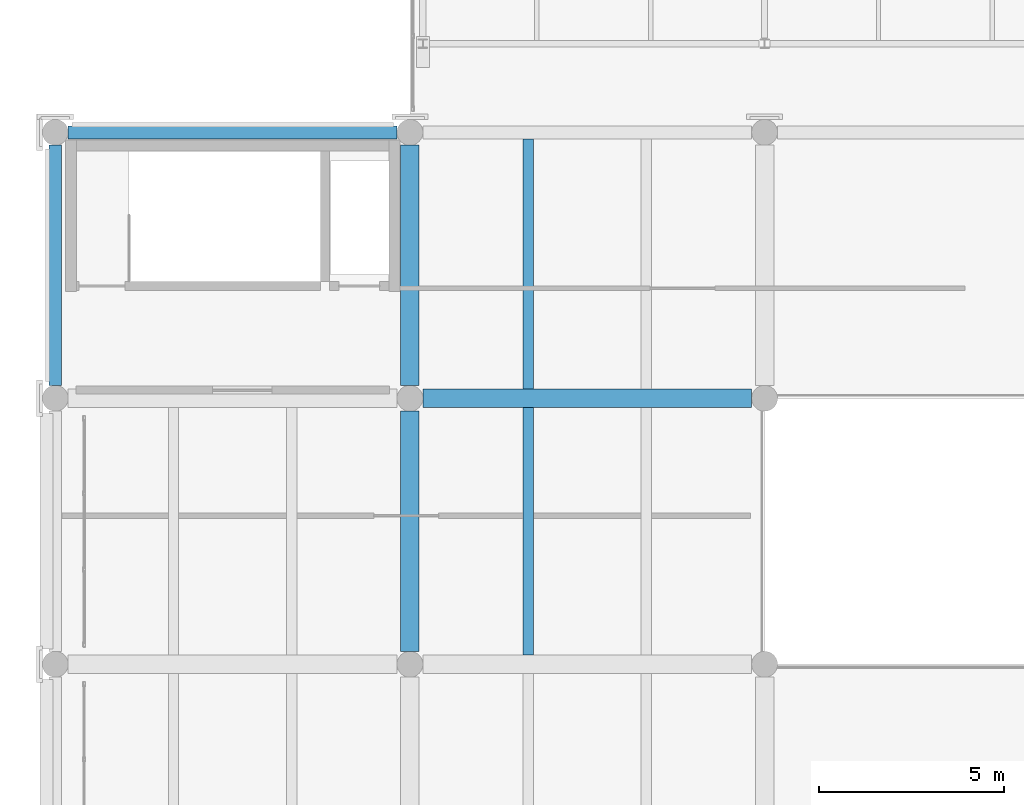
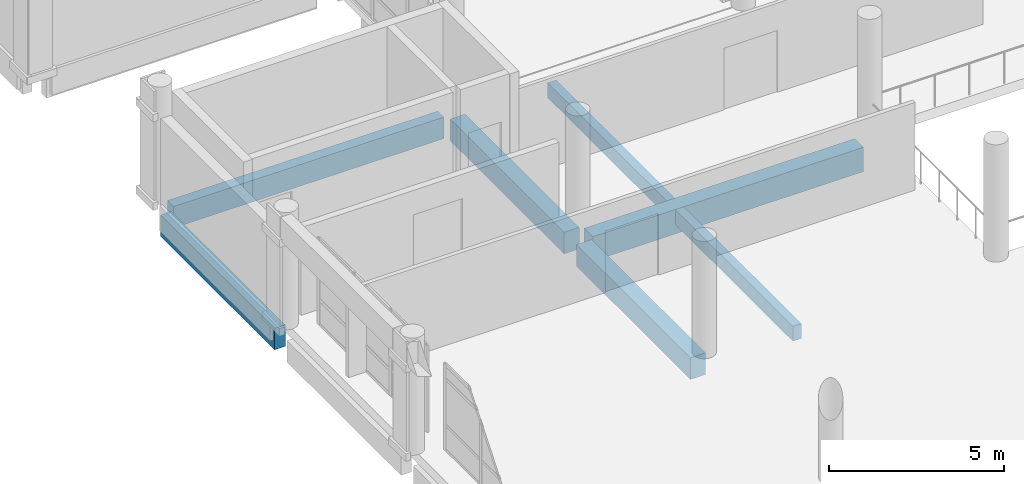
# One storey, part 17 of 180: 7 beams.
"""IFC4 building model written with IfcOpenShell, lengths in metres."""

from ifc_helpers import new_model, si_unit, direction, frame, origin, origin_2d, place, context, subcontext, project, spatial, rectangle, extrude, material, material_profile, profile_set, type_object, element, save


model = new_model("IFC4")

# Units and contexts
model_context = context("Model", 3, precision=1e-05, world=origin(), true_north=direction((0.0, 1.0)))
body_context = subcontext(model_context, "Body", "Model", "MODEL_VIEW")
ifc_project = project(units=[si_unit("LENGTHUNIT", "METRE"), si_unit("AREAUNIT", "SQUARE_METRE"), si_unit("VOLUMEUNIT", "CUBIC_METRE"), si_unit("PLANEANGLEUNIT", "RADIAN"), si_unit("MASSUNIT", "GRAM", prefix="KILO")], contexts=[model_context])

# Site, building, storey
site_placement = place(None, origin())
site = spatial("IfcSite", under=ifc_project, at=site_placement, CompositionType="ELEMENT")
building_placement = place(site_placement, origin())
building = spatial("IfcBuilding", under=site, at=building_placement, Name="Asteropetra Specialist Clinic", CompositionType="ELEMENT")
storey_placement = place(building_placement, frame((0.0, 0.0, 4.419921875)))
storey = spatial("IfcBuildingStorey", under=building, at=storey_placement, Name="L01", CompositionType="ELEMENT", Elevation=4.419921875)

# Beams
ifc_material_1 = material(Name="Concrete C35/45", Category="concrete")
ifc_material_profile_1 = material_profile(ifc_material_1, rectangle(XDim=0.5, YDim=0.75, at=origin_2d()), Name="RCB 500x750")
ifc_profile_set_1 = profile_set([ifc_material_profile_1], Name="Concrete C35/45")
beam_type_1 = type_object("IfcBeamType", Name="BM-RC500x750", PredefinedType="BEAM", material=ifc_profile_set_1)
for number, where, z_axis, x_axis, name in (
    (1, (9.60009765625, 12.35009765625, -0.71484375), (0.0, 1.0, 0.0), (-1.0, 0.0, 0.0), "Beam BBM04-0287"),
    (2, (9.60009765625, 19.550048828125, -0.71484375), (0.0, 1.0, 0.0), (-1.0, 0.0, 0.0), "Beam BBM04-0299"),
):
    element("IfcBeam", number, at=place(storey_placement, frame(where, z_axis=z_axis, x_axis=x_axis)), inside=storey, type_object=beam_type_1, Name=name, PredefinedType="BEAM", context=body_context, shape_type="SweptSolid", body=[
        extrude(rectangle(XDim=0.5, YDim=0.75, at=origin_2d()), origin(), (0.0, 0.0, 1.0), 6.5),
    ])
ifc_material_2 = material(Name="Concrete C35/45", Category="concrete")
ifc_material_profile_2 = material_profile(ifc_material_2, rectangle(XDim=0.5, YDim=0.85009765625, at=origin_2d()), Name="RCB 500x850")
ifc_profile_set_2 = profile_set([ifc_material_profile_2], Name="Concrete C35/45")
beam_type_2 = type_object("IfcBeamType", Name="BM-RC500x850", PredefinedType="BEAM", material=ifc_profile_set_2)
beam_1_placement = place(storey_placement, frame((9.949951171875, 19.199951171875, -0.764892578125), z_axis=(1.0, 0.0, 0.0), x_axis=(0.0, 1.0, 0.0)))
element("IfcBeam", 3, at=beam_1_placement, inside=storey, type_object=beam_type_2, Name="Beam BBM03-0243", PredefinedType="BEAM", context=body_context, shape_type="SweptSolid", body=[
    extrude(rectangle(XDim=0.5, YDim=0.85009765625, at=origin_2d()), origin(), (0.0, 0.0, 1.0), 8.900146484375),
])
ifc_material_3 = material(Name="Concrete C35/45", Category="concrete")
ifc_material_profile_3 = material_profile(ifc_material_3, rectangle(XDim=0.280029296875, YDim=0.52001953125, at=origin_2d()), Name="RCJ 280x520")
ifc_profile_set_3 = profile_set([ifc_material_profile_3], Name="Concrete C35/45")
beam_type_3 = type_object("IfcBeamType", Name="JST-RC280x520", PredefinedType="JOIST", material=ifc_profile_set_3)
beam_2_placement = place(storey_placement, frame((12.800048828125, 12.25, -0.599853515625), z_axis=(0.0, 1.0, 0.0), x_axis=(-1.0, 0.0, 0.0)))
element("IfcBeam", 4, at=beam_2_placement, inside=storey, type_object=beam_type_3, Name="Joist JJST01-0292", PredefinedType="JOIST", context=body_context, shape_type="SweptSolid", body=[
    extrude(rectangle(XDim=0.280029296875, YDim=0.52001953125, at=origin_2d()), origin(), (0.0, 0.0, 1.0), 6.699951171875),
])
beam_3_placement = place(storey_placement, frame((12.800048828125, 19.449951171875, -0.599853515625), z_axis=(0.0, 1.0, 0.0), x_axis=(-1.0, 0.0, 0.0)))
element("IfcBeam", 5, at=beam_3_placement, inside=storey, type_object=beam_type_3, Name="Joist JJST01-0305", PredefinedType="JOIST", context=body_context, shape_type="SweptSolid", body=[
    extrude(rectangle(XDim=0.280029296875, YDim=0.52001953125, at=origin_2d()), origin(), (0.0, 0.0, 1.0), 6.775146484375),
])
ifc_material_4 = material(Name="Concrete C35/45", Category="concrete")
ifc_material_profile_4 = material_profile(ifc_material_4, rectangle(XDim=0.35009765625, YDim=0.75, at=origin_2d()), Name="RCS 350x750")
ifc_profile_set_4 = profile_set([ifc_material_profile_4], Name="Concrete C35/45")
beam_type_4 = type_object("IfcBeamType", Name="SPN-RC350x750", PredefinedType="SPANDREL", material=ifc_profile_set_4)
beam_4_placement = place(storey_placement, frame((0.35009765625, 26.39990234375, -0.71484375), z_axis=(1.0, 0.0, 0.0), x_axis=(0.0, 1.0, 0.0)))
element("IfcBeam", 6, at=beam_4_placement, inside=storey, type_object=beam_type_4, Name="Beam BSPN01-0246", PredefinedType="SPANDREL", context=body_context, shape_type="SweptSolid", body=[
    extrude(rectangle(XDim=0.35009765625, YDim=0.75, at=origin_2d()), origin(), (0.0, 0.0, 1.0), 8.89990234375),
])
beam_5_placement = place(storey_placement, frame((0.0, 19.550048828125, -0.71484375), z_axis=(0.0, 1.0, 0.0), x_axis=(-1.0, 0.0, 0.0)))
element("IfcBeam", 7, at=beam_5_placement, inside=storey, type_object=beam_type_4, Name="Beam BSPN01-0298", PredefinedType="SPANDREL", context=body_context, shape_type="SweptSolid", body=[
    extrude(rectangle(XDim=0.35009765625, YDim=0.75, at=origin_2d()), origin(), (0.0, 0.0, 1.0), 6.5),
])

save(model, "model.ifc")
